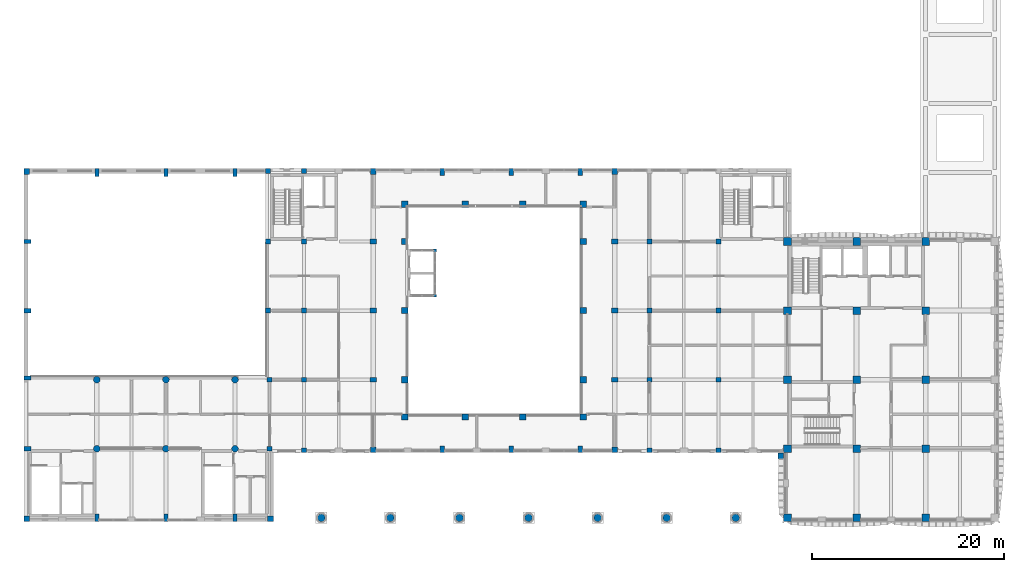
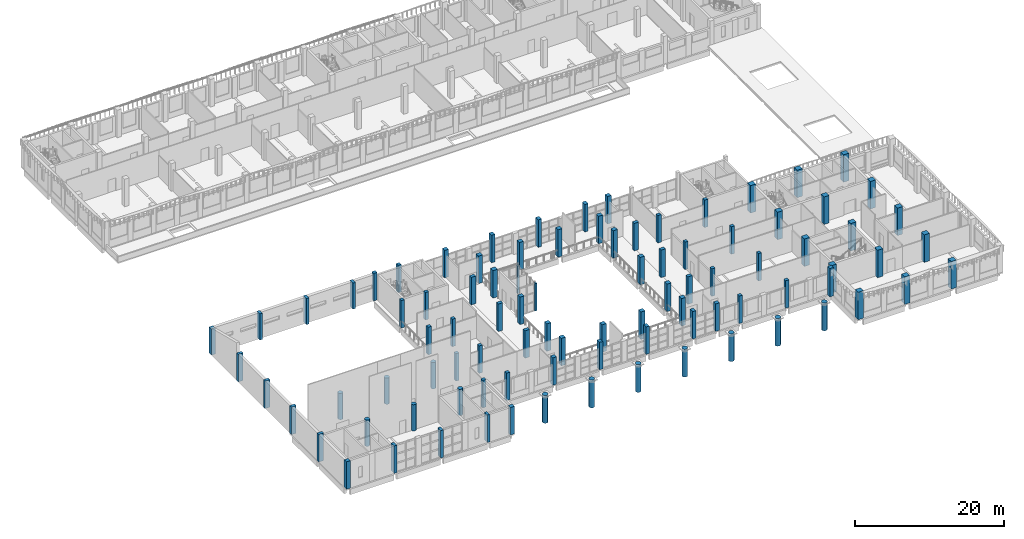
# One storey, part 1 of 59: 92 columns.
"""IFC4 building model written with IfcOpenShell, lengths in metres."""

from ifc_helpers import new_model, si_unit, direction, frame, origin, origin_2d, place, context, subcontext, project, spatial, rectangle, circle, extrude, material, material_profile, profile_set, type_object, element, save


model = new_model("IFC4")

# Units and contexts
model_context = context("Model", 3, precision=1e-05, world=origin(), true_north=direction((0.0, 1.0)))
body_context = subcontext(model_context, "Body", "Model", "MODEL_VIEW")
ifc_project = project(units=[si_unit("LENGTHUNIT", "METRE"), si_unit("AREAUNIT", "SQUARE_METRE"), si_unit("VOLUMEUNIT", "CUBIC_METRE"), si_unit("PLANEANGLEUNIT", "RADIAN"), si_unit("MASSUNIT", "GRAM", prefix="KILO")], contexts=[model_context])

# Site, building, storey
site_placement = place(None, origin())
site = spatial("IfcSite", under=ifc_project, at=site_placement, CompositionType="ELEMENT")
building_placement = place(site_placement, origin())
building = spatial("IfcBuilding", under=site, at=building_placement, Name="Ussher Court Research Institute", CompositionType="ELEMENT")
storey_placement = place(building_placement, frame((0.0, 0.0, 5.39990234375)))
storey = spatial("IfcBuildingStorey", under=building, at=storey_placement, Name="L01", CompositionType="ELEMENT", Elevation=5.39990234375)

# Columns
ifc_material_1 = material(Name="Concrete C35/45", Category="concrete")
ifc_material_profile_1 = material_profile(ifc_material_1, rectangle(XDim=0.300048828125, YDim=0.300048828125, at=origin_2d()), Name="RC 300x300")
ifc_profile_set_1 = profile_set([ifc_material_profile_1], Name="Concrete C35/45")
column_type_1 = type_object("IfcColumnType", Name="Lift shaft corner column 300x300 RC", PredefinedType="COLUMN", material=ifc_profile_set_1)
for number, where, z_axis, x_axis, name in (
    (1, (45.449951171875, 27.14990234375, 0.0), (0.0, 0.0, 1.0), (1.0, 0.0, 0.0), "Lift shaft column atrium L01"),
    (2, (45.449951171875, 31.85009765625, 0.0), (0.0, 0.0, 1.0), (1.0, 0.0, 0.0), "Lift shaft column atrium L01"),
):
    element("IfcColumn", number, at=place(storey_placement, frame(where, z_axis=z_axis, x_axis=x_axis)), inside=storey, type_object=column_type_1, Name=name, PredefinedType="COLUMN", context=body_context, shape_type="SweptSolid", body=[
        extrude(rectangle(XDim=0.300048828125, YDim=0.300048828125, at=origin_2d()), origin(), (0.0, 0.0, 1.0), 4.5),
    ])
ifc_material_2 = material(Name="Concrete C35/45", Category="concrete")
ifc_material_profile_2 = material_profile(ifc_material_2, rectangle(XDim=0.39990234375, YDim=0.800048828125, at=origin_2d()), Name="RC 400x800")
ifc_profile_set_2 = profile_set([ifc_material_profile_2], Name="Concrete C35/45")
column_type_2 = type_object("IfcColumnType", Name="RC 400x800 column", PredefinedType="COLUMN", material=ifc_profile_set_2)
for number, where, z_axis, x_axis, name in (
    (3, (10.199951171875, 4.0, 0.0), (0.0, 0.0, 1.0), (1.0, 0.0, 0.0), "CF1 V1 L01-01"),
    (4, (17.39990234375, 4.0, 0.0), (0.0, 0.0, 1.0), (1.0, 0.0, 0.0), "CF1 V1 L01-02"),
    (5, (24.60009765625, 4.0, 0.0), (0.0, 0.0, 1.0), (1.0, 0.0, 0.0), "CF1 V1 L01-03"),
):
    element("IfcColumn", number, at=place(storey_placement, frame(where, z_axis=z_axis, x_axis=x_axis)), inside=storey, type_object=column_type_2, Name=name, PredefinedType="COLUMN", context=body_context, shape_type="SweptSolid", body=[
        extrude(rectangle(XDim=0.39990234375, YDim=0.800048828125, at=origin_2d()), origin(), (0.0, 0.0, 1.0), 4.5),
    ])
for number, where, z_axis, x_axis, name in (
    (6, (10.199951171875, 40.0, 0.0), (0.0, 0.0, 1.0), (1.0, 0.0, 0.0), "CF1 V1 L01-04"),
    (7, (17.39990234375, 40.0, 0.0), (0.0, 0.0, 1.0), (1.0, 0.0, 0.0), "CF1 V1 L01-05"),
    (8, (24.60009765625, 40.0, 0.0), (0.0, 0.0, 1.0), (1.0, 0.0, 0.0), "CF1 V1 L01-06"),
):
    element("IfcColumn", number, at=place(storey_placement, frame(where, z_axis=z_axis, x_axis=x_axis)), inside=storey, type_object=column_type_2, Name=name, PredefinedType="COLUMN", context=body_context, shape_type="SweptSolid", body=[
        extrude(rectangle(XDim=0.39990234375, YDim=0.800048828125, at=origin_2d()), origin(), (0.0, 0.0, 1.0), 4.2802734375),
    ])
ifc_material_3 = material(Name="Concrete C35/45", Category="concrete")
ifc_material_profile_3 = material_profile(ifc_material_3, rectangle(XDim=0.5, YDim=0.5, at=origin_2d()), Name="RC 500x500")
ifc_profile_set_3 = profile_set([ifc_material_profile_3], Name="Concrete C35/45")
column_type_3 = type_object("IfcColumnType", Name="RC 500x500 column", PredefinedType="COLUMN", material=ifc_profile_set_3)
for number, where, z_axis, x_axis, name in (
    (9, (28.199951171875, 11.199951171875, 0.0), (0.0, 0.0, 1.0), (1.0, 0.0, 0.0), "C5 V7 L01-01"),
    (10, (28.199951171875, 18.39990234375, 0.0), (0.0, 0.0, 1.0), (1.0, 0.0, 0.0), "C5 V7 L01-02"),
    (11, (28.050048828125, 25.60009765625, 0.0), (0.0, 0.0, 1.0), (1.0, 0.0, 0.0), "C5 V7 L01-03"),
    (12, (28.050048828125, 32.800048828125, 0.0), (0.0, 0.0, 1.0), (1.0, 0.0, 0.0), "C5 V7 L01-04"),
    (13, (28.050048828125, 40.14990234375, 0.0), (0.0, 0.0, 1.0), (1.0, 0.0, 0.0), "C5 V7 L01-05"),
    (14, (31.800048828125, 11.050048828125, 0.0), (0.0, 0.0, 1.0), (1.0, 0.0, 0.0), "C5 V7 L01-06"),
    (15, (31.800048828125, 18.39990234375, 0.0), (0.0, 0.0, 1.0), (1.0, 0.0, 0.0), "C5 V7 L01-07"),
    (16, (31.800048828125, 25.60009765625, 0.0), (0.0, 0.0, 1.0), (1.0, 0.0, 0.0), "C5 V7 L01-08"),
    (17, (31.800048828125, 32.800048828125, 0.0), (0.0, 0.0, 1.0), (1.0, 0.0, 0.0), "C5 V7 L01-09"),
    (18, (31.800048828125, 40.14990234375, 0.0), (0.0, 0.0, 1.0), (1.0, 0.0, 0.0), "C5 V7 L01-10"),
    (19, (67.800048828125, 11.050048828125, 0.0), (0.0, 0.0, 1.0), (1.0, 0.0, 0.0), "C5 V7 L01-11"),
    (20, (67.800048828125, 18.39990234375, 0.0), (0.0, 0.0, 1.0), (1.0, 0.0, 0.0), "C5 V7 L01-12"),
    (21, (67.800048828125, 25.60009765625, 0.0), (0.0, 0.0, 1.0), (1.0, 0.0, 0.0), "C5 V7 L01-13"),
    (22, (67.800048828125, 32.800048828125, 0.0), (0.0, 0.0, 1.0), (1.0, 0.0, 0.0), "C5 V7 L01-14"),
    (23, (75.0, 11.050048828125, 0.0), (0.0, 0.0, 1.0), (1.0, 0.0, 0.0), "C5 V7 L01-16"),
    (24, (75.0, 18.39990234375, 0.0), (0.0, 0.0, 1.0), (1.0, 0.0, 0.0), "C5 V7 L01-17"),
    (25, (75.0, 25.60009765625, 0.0), (0.0, 0.0, 1.0), (1.0, 0.0, 0.0), "C5 V7 L01-18"),
    (26, (75.0, 32.800048828125, 0.0), (0.0, 0.0, 1.0), (1.0, 0.0, 0.0), "C5 V7 L01-19"),
):
    element("IfcColumn", number, at=place(storey_placement, frame(where, z_axis=z_axis, x_axis=x_axis)), inside=storey, type_object=column_type_3, Name=name, PredefinedType="COLUMN", context=body_context, shape_type="SweptSolid", body=[
        extrude(rectangle(XDim=0.5, YDim=0.5, at=origin_2d()), origin(), (0.0, 0.0, 1.0), 4.5),
    ])
ifc_material_4 = material(Name="Concrete C35/45", Category="concrete")
ifc_material_profile_4 = material_profile(ifc_material_4, rectangle(XDim=0.5, YDim=0.699951171875, at=origin_2d()), Name="RC 500x700")
ifc_profile_set_4 = profile_set([ifc_material_profile_4], Name="Concrete C35/45")
column_type_4 = type_object("IfcColumnType", Name="RC 500x700 column", PredefinedType="COLUMN", material=ifc_profile_set_4)
for number, where, z_axis, x_axis, name in (
    (27, (46.199951171875, 11.14990234375, 0.0), (0.0, 0.0, 1.0), (1.0, 0.0, 0.0), "CF2 V2 L01-01"),
    (28, (46.199951171875, 40.050048828125, 0.0), (0.0, 0.0, 1.0), (1.0, 0.0, 0.0), "CF2 V2 L01-02"),
    (29, (53.39990234375, 11.14990234375, 0.0), (0.0, 0.0, 1.0), (1.0, 0.0, 0.0), "CF2 V2 L01-03"),
    (30, (53.39990234375, 40.050048828125, 0.0), (0.0, 0.0, 1.0), (1.0, 0.0, 0.0), "CF2 V2 L01-04"),
    (31, (60.60009765625, 11.14990234375, 0.0), (0.0, 0.0, 1.0), (1.0, 0.0, 0.0), "CF2 V2 L01-05"),
    (32, (60.60009765625, 40.050048828125, 0.0), (0.0, 0.0, 1.0), (1.0, 0.0, 0.0), "CF2 V2 L01-06"),
):
    element("IfcColumn", number, at=place(storey_placement, frame(where, z_axis=z_axis, x_axis=x_axis)), inside=storey, type_object=column_type_4, Name=name, PredefinedType="COLUMN", context=body_context, shape_type="SweptSolid", body=[
        extrude(rectangle(XDim=0.5, YDim=0.699951171875, at=origin_2d()), origin(), (0.0, 0.0, 1.0), 4.5),
    ])
ifc_material_5 = material(Name="Concrete C35/45", Category="concrete")
ifc_material_profile_5 = material_profile(ifc_material_5, rectangle(XDim=0.60009765625, YDim=0.60009765625, at=origin_2d()), Name="RC 600x600")
ifc_profile_set_5 = profile_set([ifc_material_profile_5], Name="Concrete C35/45")
column_type_5 = type_object("IfcColumnType", Name="RC 600x600 column", PredefinedType="COLUMN", material=ifc_profile_set_5)
for number, where, z_axis, x_axis, name in (
    (33, (39.0, 11.10009765625, 0.0), (0.0, 0.0, 1.0), (1.0, 0.0, 0.0), "C6 V2 L01-01"),
    (34, (39.0, 40.10009765625, 0.0), (0.0, 0.0, 1.0), (1.0, 0.0, 0.0), "C6 V2 L01-02"),
    (35, (64.199951171875, 11.10009765625, 0.0), (0.0, 0.0, 1.0), (1.0, 0.0, 0.0), "C6 V2 L01-03"),
    (36, (64.199951171875, 40.10009765625, 0.0), (0.0, 0.0, 1.0), (1.0, 0.0, 0.0), "C6 V2 L01-04"),
    (37, (2.89990234375, 3.89990234375, 0.0), (0.0, 0.0, 1.0), (1.0, 0.0, 0.0), "C6 V1 L01-01"),
    (38, (28.300048828125, 3.89990234375, 0.0), (0.0, 0.0, 1.0), (1.0, 0.0, 0.0), "C6 V1 L01-02"),
):
    element("IfcColumn", number, at=place(storey_placement, frame(where, z_axis=z_axis, x_axis=x_axis)), inside=storey, type_object=column_type_5, Name=name, PredefinedType="COLUMN", context=body_context, shape_type="SweptSolid", body=[
        extrude(rectangle(XDim=0.60009765625, YDim=0.60009765625, at=origin_2d()), origin(), (0.0, 0.0, 1.0), 4.5),
    ])
column_1_placement = place(storey_placement, frame((2.89990234375, 40.10009765625, 0.0), z_axis=(0.0, 0.0, 1.0), x_axis=(1.0, 0.0, 0.0)))
element("IfcColumn", 39, at=column_1_placement, inside=storey, type_object=column_type_5, Name="C6 V1 L01-03", PredefinedType="COLUMN", context=body_context, shape_type="SweptSolid", body=[
    extrude(rectangle(XDim=0.60009765625, YDim=0.60009765625, at=origin_2d()), origin(), (0.0, 0.0, 1.0), 4.2802734375),
])
column_2_placement = place(storey_placement, frame((81.5, 10.449951171875, 0.0), z_axis=(0.0, 0.0, 1.0), x_axis=(1.0, 0.0, 0.0)))
element("IfcColumn", 40, at=column_2_placement, inside=storey, type_object=column_type_5, Name="C6 V6 L01-01", PredefinedType="COLUMN", context=body_context, shape_type="SweptSolid", body=[
    extrude(rectangle(XDim=0.60009765625, YDim=0.60009765625, at=origin_2d()), origin(), (0.0, 0.0, 1.0), 4.64013671875),
])
ifc_material_6 = material(Name="Concrete C35/45", Category="concrete")
ifc_material_profile_6 = material_profile(ifc_material_6, rectangle(XDim=0.64990234375, YDim=0.64990234375, at=origin_2d()), Name="RC 650x650")
ifc_profile_set_6 = profile_set([ifc_material_profile_6], Name="Concrete C35/45")
column_type_6 = type_object("IfcColumnType", Name="RC 650x650 column", PredefinedType="COLUMN", material=ifc_profile_set_6)
for number, where, z_axis, x_axis, name in (
    (41, (42.300048828125, 14.5, 0.0), (0.0, 0.0, 1.0), (1.0, 0.0, 0.0), "C65 V2 L01-01"),
    (42, (42.300048828125, 18.39990234375, 0.0), (0.0, 0.0, 1.0), (1.0, 0.0, 0.0), "C65 V2 L01-02"),
    (43, (42.300048828125, 25.60009765625, 0.0), (0.0, 0.0, 1.0), (1.0, 0.0, 0.0), "C65 V2 L01-03"),
    (44, (42.300048828125, 32.800048828125, 0.0), (0.0, 0.0, 1.0), (1.0, 0.0, 0.0), "C65 V2 L01-04"),
    (45, (42.300048828125, 36.699951171875, 0.0), (0.0, 0.0, 1.0), (1.0, 0.0, 0.0), "C65 V2 L01-05"),
    (46, (60.89990234375, 14.5, 0.0), (0.0, 0.0, 1.0), (1.0, 0.0, 0.0), "C65 V2 L01-06"),
    (47, (60.89990234375, 18.39990234375, 0.0), (0.0, 0.0, 1.0), (1.0, 0.0, 0.0), "C65 V2 L01-07"),
    (48, (60.89990234375, 25.60009765625, 0.0), (0.0, 0.0, 1.0), (1.0, 0.0, 0.0), "C65 V2 L01-08"),
    (49, (60.89990234375, 32.800048828125, 0.0), (0.0, 0.0, 1.0), (1.0, 0.0, 0.0), "C65 V2 L01-09"),
    (50, (60.89990234375, 36.699951171875, 0.0), (0.0, 0.0, 1.0), (1.0, 0.0, 0.0), "C65 V2 L01-10"),
    (51, (48.60009765625, 14.5, 0.0), (0.0, 0.0, 1.0), (1.0, 0.0, 0.0), "C65 V2 L01-11"),
    (52, (54.60009765625, 14.5, 0.0), (0.0, 0.0, 1.0), (1.0, 0.0, 0.0), "C65 V2 L01-12"),
    (53, (48.60009765625, 36.699951171875, 0.0), (0.0, 0.0, 1.0), (1.0, 0.0, 0.0), "C65 V2 L01-13"),
    (54, (54.60009765625, 36.699951171875, 0.0), (0.0, 0.0, 1.0), (1.0, 0.0, 0.0), "C65 V2 L01-14"),
):
    element("IfcColumn", number, at=place(storey_placement, frame(where, z_axis=z_axis, x_axis=x_axis)), inside=storey, type_object=column_type_6, Name=name, PredefinedType="COLUMN", context=body_context, shape_type="SweptSolid", body=[
        extrude(rectangle(XDim=0.64990234375, YDim=0.64990234375, at=origin_2d()), origin(), (0.0, 0.0, 1.0), 4.5),
    ])
ifc_material_7 = material(Name="Concrete C35/45", Category="concrete")
ifc_material_profile_7 = material_profile(ifc_material_7, rectangle(XDim=0.699951171875, YDim=0.5, at=origin_2d()), Name="RC 700x500")
ifc_profile_set_7 = profile_set([ifc_material_profile_7], Name="Concrete C35/45")
column_type_7 = type_object("IfcColumnType", Name="RC 700x500 column", PredefinedType="COLUMN", material=ifc_profile_set_7)
for number, where, z_axis, x_axis, name in (
    (55, (39.0, 18.39990234375, 0.0), (0.0, 0.0, 1.0), (1.0, 0.0, 0.0), "CF3 V2 L01-01"),
    (56, (39.0, 25.60009765625, 0.0), (0.0, 0.0, 1.0), (1.0, 0.0, 0.0), "CF3 V2 L01-02"),
    (57, (39.0, 32.800048828125, 0.0), (0.0, 0.0, 1.0), (1.0, 0.0, 0.0), "CF3 V2 L01-03"),
    (58, (64.199951171875, 18.39990234375, 0.0), (0.0, 0.0, 1.0), (1.0, 0.0, 0.0), "CF3 V2 L01-04"),
    (59, (64.199951171875, 25.60009765625, 0.0), (0.0, 0.0, 1.0), (1.0, 0.0, 0.0), "CF3 V2 L01-05"),
    (60, (64.199951171875, 32.800048828125, 0.0), (0.0, 0.0, 1.0), (1.0, 0.0, 0.0), "CF3 V2 L01-06"),
):
    element("IfcColumn", number, at=place(storey_placement, frame(where, z_axis=z_axis, x_axis=x_axis)), inside=storey, type_object=column_type_7, Name=name, PredefinedType="COLUMN", context=body_context, shape_type="SweptSolid", body=[
        extrude(rectangle(XDim=0.699951171875, YDim=0.5, at=origin_2d()), origin(), (0.0, 0.0, 1.0), 4.5),
    ])
ifc_material_8 = material(Name="Concrete C35/45", Category="concrete")
ifc_material_profile_8 = material_profile(ifc_material_8, rectangle(XDim=0.75, YDim=0.449951171875, at=origin_2d()), Name="RC 750x450")
ifc_profile_set_8 = profile_set([ifc_material_profile_8], Name="Concrete C35/45")
column_type_8 = type_object("IfcColumnType", Name="RC 750x450 column", PredefinedType="COLUMN", material=ifc_profile_set_8)
for number, where, z_axis, x_axis, name in (
    (61, (2.97509765625, 11.199951171875, 0.0), (0.0, 0.0, 1.0), (1.0, 0.0, 0.0), "CF4 V1 L01-01"),
    (62, (2.97509765625, 18.574951171875, 0.0), (0.0, 0.0, 1.0), (1.0, 0.0, 0.0), "CF4 V1 L01-02"),
    (63, (2.97509765625, 25.60009765625, 0.0), (0.0, 0.0, 1.0), (1.0, 0.0, 0.0), "CF4 V1 L01-03"),
    (64, (2.97509765625, 32.800048828125, 0.0), (0.0, 0.0, 1.0), (1.0, 0.0, 0.0), "CF4 V1 L01-04"),
):
    element("IfcColumn", number, at=place(storey_placement, frame(where, z_axis=z_axis, x_axis=x_axis)), inside=storey, type_object=column_type_8, Name=name, PredefinedType="COLUMN", context=body_context, shape_type="SweptSolid", body=[
        extrude(rectangle(XDim=0.75, YDim=0.449951171875, at=origin_2d()), origin(), (0.0, 0.0, 1.0), 4.5),
    ])
ifc_material_9 = material(Name="Concrete C35/45", Category="concrete")
ifc_material_profile_9 = material_profile(ifc_material_9, rectangle(XDim=0.800048828125, YDim=0.800048828125, at=origin_2d()), Name="RC 800x800")
ifc_profile_set_9 = profile_set([ifc_material_profile_9], Name="Concrete C35/45")
column_type_9 = type_object("IfcColumnType", Name="RC 800x800 column", PredefinedType="COLUMN", material=ifc_profile_set_9)
for number, where, z_axis, x_axis, name in (
    (65, (82.199951171875, 4.0, 0.0), (0.0, 0.0, 1.0), (1.0, 0.0, 0.0), "C8 V4 L01-01"),
    (66, (82.199951171875, 11.199951171875, 0.0), (0.0, 0.0, 1.0), (1.0, 0.0, 0.0), "C8 V4 L01-02"),
    (67, (82.199951171875, 18.39990234375, 0.0), (0.0, 0.0, 1.0), (1.0, 0.0, 0.0), "C8 V4 L01-03"),
    (68, (82.199951171875, 25.60009765625, 0.0), (0.0, 0.0, 1.0), (1.0, 0.0, 0.0), "C8 V4 L01-04"),
    (69, (82.199951171875, 32.800048828125, 0.0), (0.0, 0.0, 1.0), (1.0, 0.0, 0.0), "C8 V4 L01-05"),
    (70, (89.39990234375, 4.0, 0.0), (0.0, 0.0, 1.0), (1.0, 0.0, 0.0), "C8 V4 L01-06"),
    (71, (89.39990234375, 11.199951171875, 0.0), (0.0, 0.0, 1.0), (1.0, 0.0, 0.0), "C8 V4 L01-07"),
    (72, (89.39990234375, 18.39990234375, 0.0), (0.0, 0.0, 1.0), (1.0, 0.0, 0.0), "C8 V4 L01-08"),
    (73, (89.39990234375, 25.60009765625, 0.0), (0.0, 0.0, 1.0), (1.0, 0.0, 0.0), "C8 V4 L01-09"),
    (74, (89.39990234375, 32.800048828125, 0.0), (0.0, 0.0, 1.0), (1.0, 0.0, 0.0), "C8 V4 L01-10"),
    (75, (96.60009765625, 4.0, 0.0), (0.0, 0.0, 1.0), (1.0, 0.0, 0.0), "C8 V4 L01-11"),
    (76, (96.60009765625, 11.199951171875, 0.0), (0.0, 0.0, 1.0), (1.0, 0.0, 0.0), "C8 V4 L01-12"),
    (77, (96.60009765625, 18.39990234375, 0.0), (0.0, 0.0, 1.0), (1.0, 0.0, 0.0), "C8 V4 L01-13"),
    (78, (96.60009765625, 25.60009765625, 0.0), (0.0, 0.0, 1.0), (1.0, 0.0, 0.0), "C8 V4 L01-14"),
    (79, (96.60009765625, 32.800048828125, 0.0), (0.0, 0.0, 1.0), (1.0, 0.0, 0.0), "C8 V4 L01-15"),
):
    element("IfcColumn", number, at=place(storey_placement, frame(where, z_axis=z_axis, x_axis=x_axis)), inside=storey, type_object=column_type_9, Name=name, PredefinedType="COLUMN", context=body_context, shape_type="SweptSolid", body=[
        extrude(rectangle(XDim=0.800048828125, YDim=0.800048828125, at=origin_2d()), origin(), (0.0, 0.0, 1.0), 4.5),
    ])
ifc_material_10 = material(Name="Concrete C35/45", Category="concrete")
ifc_material_profile_10 = material_profile(ifc_material_10, circle(Radius=0.35009765625, at=origin_2d()), Name="RC D700")
ifc_profile_set_10 = profile_set([ifc_material_profile_10], Name="Concrete C35/45")
column_type_10 = type_object("IfcColumnType", Name="RC D700 column", PredefinedType="COLUMN", material=ifc_profile_set_10)
for number, where, z_axis, x_axis, name in (
    (80, (10.199951171875, 11.199951171875, 0.0), (0.0, 0.0, 1.0), (1.0, 0.0, 0.0), "CR4 V1 L01-01"),
    (81, (10.199951171875, 18.39990234375, 0.0), (0.0, 0.0, 1.0), (1.0, 0.0, 0.0), "CR4 V1 L01-02"),
    (82, (17.39990234375, 11.199951171875, 0.0), (0.0, 0.0, 1.0), (1.0, 0.0, 0.0), "CR4 V1 L01-03"),
    (83, (17.39990234375, 18.39990234375, 0.0), (0.0, 0.0, 1.0), (1.0, 0.0, 0.0), "CR4 V1 L01-04"),
    (84, (24.60009765625, 11.199951171875, 0.0), (0.0, 0.0, 1.0), (1.0, 0.0, 0.0), "CR4 V1 L01-05"),
    (85, (24.60009765625, 18.39990234375, 0.0), (0.0, 0.0, 1.0), (1.0, 0.0, 0.0), "CR4 V1 L01-06"),
):
    element("IfcColumn", number, at=place(storey_placement, frame(where, z_axis=z_axis, x_axis=x_axis)), inside=storey, type_object=column_type_10, Name=name, PredefinedType="COLUMN", context=body_context, shape_type="SweptSolid", body=[
        extrude(circle(Radius=0.35009765625, at=origin_2d()), origin(), (0.0, 0.0, 1.0), 4.300048828125),
    ])
ifc_material_11 = material(Name="Concrete C35/45", Category="concrete")
ifc_material_profile_11 = material_profile(ifc_material_11, circle(Radius=0.39990234375, at=origin_2d()), Name="RC D800")
ifc_profile_set_11 = profile_set([ifc_material_profile_11], Name="Concrete C35/45")
column_type_11 = type_object("IfcColumnType", Name="RC D800 column", PredefinedType="COLUMN", material=ifc_profile_set_11)
for number, where, z_axis, x_axis, name in (
    (86, (33.60009765625, 4.0, 0.0), (0.0, 0.0, 1.0), (1.0, 0.0, 0.0), "CR2 V6 L01-01"),
    (87, (40.800048828125, 4.0, 0.0), (0.0, 0.0, 1.0), (1.0, 0.0, 0.0), "CR2 V6 L01-02"),
    (88, (48.0, 4.0, 0.0), (0.0, 0.0, 1.0), (1.0, 0.0, 0.0), "CR2 V6 L01-03"),
    (89, (55.199951171875, 4.0, 0.0), (0.0, 0.0, 1.0), (1.0, 0.0, 0.0), "CR2 V6 L01-04"),
    (90, (62.39990234375, 4.0, 0.0), (0.0, 0.0, 1.0), (1.0, 0.0, 0.0), "CR2 V6 L01-05"),
    (91, (69.60009765625, 4.0, 0.0), (0.0, 0.0, 1.0), (1.0, 0.0, 0.0), "CR2 V6 L01-06"),
    (92, (76.800048828125, 4.0, 0.0), (0.0, 0.0, 1.0), (1.0, 0.0, 0.0), "CR2 V6 L01-07"),
):
    element("IfcColumn", number, at=place(storey_placement, frame(where, z_axis=z_axis, x_axis=x_axis)), inside=storey, type_object=column_type_11, Name=name, PredefinedType="COLUMN", context=body_context, shape_type="SweptSolid", body=[
        extrude(circle(Radius=0.39990234375, at=origin_2d()), origin(), (0.0, 0.0, 1.0), 4.5400390625),
    ])

save(model, "model.ifc")
